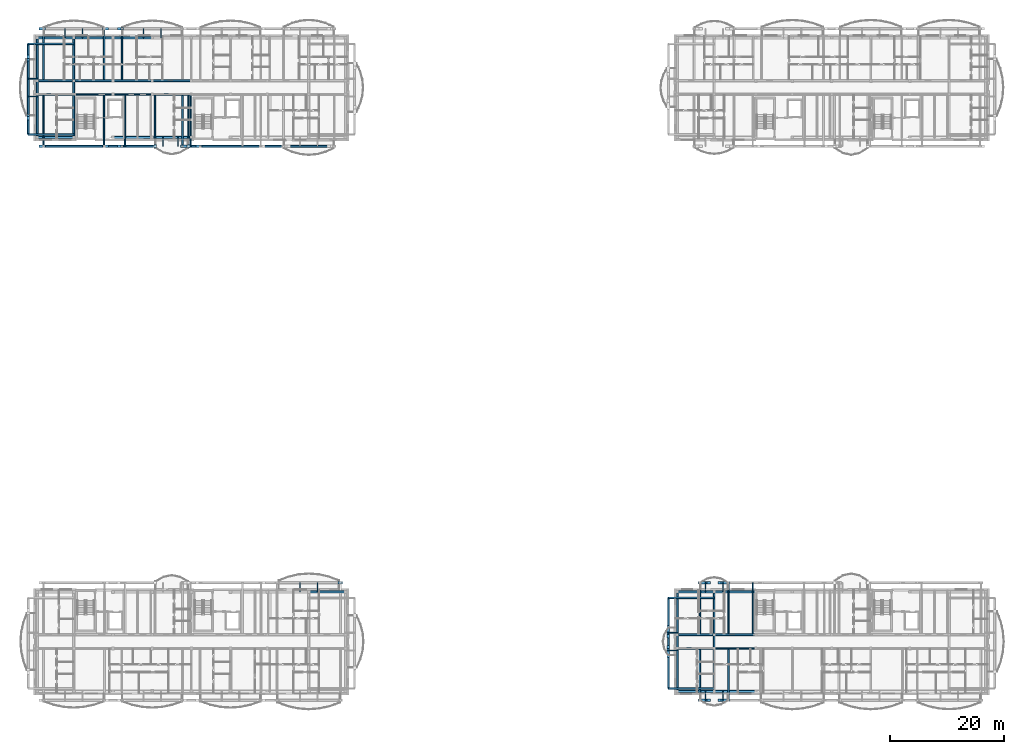
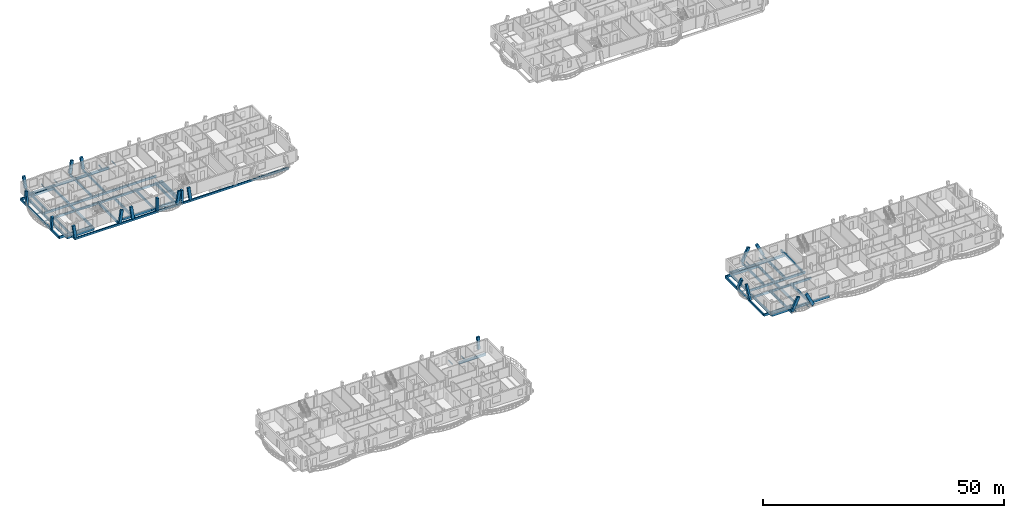
# One storey, part 5 of 52: 73 beams, 19 members.
"""IFC4 building model written with IfcOpenShell, lengths in metres."""

from ifc_helpers import new_model, si_unit, direction, frame, origin, origin_2d, place, context, subcontext, project, spatial, rectangle, i_section, extrude, material, material_profile, profile_set, type_object, element, save


model = new_model("IFC4")

# Units and contexts
model_context = context("Model", 3, precision=1e-05, world=origin(), true_north=direction((0.0, 1.0)))
body_context = subcontext(model_context, "Body", "Model", "MODEL_VIEW")
ifc_project = project(units=[si_unit("LENGTHUNIT", "METRE"), si_unit("AREAUNIT", "SQUARE_METRE"), si_unit("VOLUMEUNIT", "CUBIC_METRE"), si_unit("PLANEANGLEUNIT", "RADIAN"), si_unit("MASSUNIT", "GRAM", prefix="KILO")], contexts=[model_context])

# Site, building, storey
site_placement = place(None, origin())
site = spatial("IfcSite", under=ifc_project, at=site_placement, CompositionType="ELEMENT")
building_placement = place(site_placement, origin())
building = spatial("IfcBuilding", under=site, at=building_placement, Name="Zavelmont Quarter", CompositionType="ELEMENT")
storey_placement = place(building_placement, frame((0.0, 0.0, 14.39990234375)))
storey = spatial("IfcBuildingStorey", under=building, at=storey_placement, Name="L04", CompositionType="ELEMENT", Elevation=14.39990234375)

# Beams
ifc_material_1 = material(Name="Concrete C35/45", Category="concrete")
ifc_material_profile_1 = material_profile(ifc_material_1, rectangle(XDim=0.35009765625, YDim=0.60009765625, at=origin_2d()), Name="RC350X600")
ifc_profile_set_1 = profile_set([ifc_material_profile_1], Name="Concrete C35/45")
beam_type_1 = type_object("IfcBeamType", Name="BM01", PredefinedType="SPANDREL", material=ifc_profile_set_1)
for number, where, z_axis, x_axis, name in (
    (1, (48.300048828125, 17.9599609375, -0.559814453125), (1.0, 0.0, 0.0), (0.0, 1.0, 0.0), "L04 beam BM01 8/D to 9/D"),
    (2, (0.43994140625, 98.0400390625, -0.559814453125), (1.0, 0.0, 0.0), (0.0, 1.0, 0.0), "L04 beam BM01 1/P to 2/P"),
):
    element("IfcBeam", number, at=place(storey_placement, frame(where, z_axis=z_axis, x_axis=x_axis)), inside=storey, type_object=beam_type_1, Name=name, PredefinedType="SPANDREL", context=body_context, shape_type="SweptSolid", body=[
        extrude(rectangle(XDim=0.35009765625, YDim=0.60009765625, at=origin_2d()), origin(), (0.0, 0.0, 1.0), 6.4599609375),
    ])
beam_1_placement = place(storey_placement, frame((13.800048828125, 98.0400390625, -0.559814453125), z_axis=(1.0, 0.0, 0.0), x_axis=(0.0, 1.0, 0.0)))
element("IfcBeam", 3, at=beam_1_placement, inside=storey, type_object=beam_type_1, Name="L04 beam BM01 3/P to 4/P", PredefinedType="SPANDREL", context=body_context, shape_type="SweptSolid", body=[
    extrude(rectangle(XDim=0.35009765625, YDim=0.60009765625, at=origin_2d()), origin(), (0.0, 0.0, 1.0), 6.89990234375),
])
beam_2_placement = place(storey_placement, frame((20.699951171875, 98.0400390625, -0.559814453125), z_axis=(1.0, 0.0, 0.0), x_axis=(0.0, 1.0, 0.0)))
element("IfcBeam", 4, at=beam_2_placement, inside=storey, type_object=beam_type_1, Name="L04 beam BM01 4/P to 5/P", PredefinedType="SPANDREL", context=body_context, shape_type="SweptSolid", body=[
    extrude(rectangle(XDim=0.35009765625, YDim=0.60009765625, at=origin_2d()), origin(), (0.0, 0.0, 1.0), 6.900146484375),
])
beam_3_placement = place(storey_placement, frame((0.43994140625, 115.56005859375, -0.559814453125), z_axis=(1.0, 0.0, 0.0), x_axis=(0.0, 1.0, 0.0)))
element("IfcBeam", 5, at=beam_3_placement, inside=storey, type_object=beam_type_1, Name="L04 beam BM01 1/S to 2/S", PredefinedType="SPANDREL", context=body_context, shape_type="SweptSolid", body=[
    extrude(rectangle(XDim=0.35009765625, YDim=0.60009765625, at=origin_2d()), origin(), (0.0, 0.0, 1.0), 6.4599609375),
])
beam_4_placement = place(storey_placement, frame((6.89990234375, 115.56005859375, -0.559814453125), z_axis=(1.0, 0.0, 0.0), x_axis=(0.0, 1.0, 0.0)))
element("IfcBeam", 6, at=beam_4_placement, inside=storey, type_object=beam_type_1, Name="L04 beam BM01 2/S to 3/S", PredefinedType="SPANDREL", context=body_context, shape_type="SweptSolid", body=[
    extrude(rectangle(XDim=0.35009765625, YDim=0.60009765625, at=origin_2d()), origin(), (0.0, 0.0, 1.0), 6.900146484375),
])
beam_5_placement = place(storey_placement, frame((13.800048828125, 115.56005859375, -0.559814453125), z_axis=(1.0, 0.0, 0.0), x_axis=(0.0, 1.0, 0.0)))
element("IfcBeam", 7, at=beam_5_placement, inside=storey, type_object=beam_type_1, Name="L04 beam BM01 3/S to 4/S", PredefinedType="SPANDREL", context=body_context, shape_type="SweptSolid", body=[
    extrude(rectangle(XDim=0.35009765625, YDim=0.60009765625, at=origin_2d()), origin(), (0.0, 0.0, 1.0), 6.89990234375),
])
beam_6_placement = place(storey_placement, frame((113.239990234375, 0.43994140625, -0.559814453125), z_axis=(1.0, 0.0, 0.0), x_axis=(0.0, 1.0, 0.0)))
element("IfcBeam", 8, at=beam_6_placement, inside=storey, type_object=beam_type_1, Name="L04 beam BM01 17/A to 18/A", PredefinedType="SPANDREL", context=body_context, shape_type="SweptSolid", body=[
    extrude(rectangle(XDim=0.35009765625, YDim=0.60009765625, at=origin_2d()), origin(), (0.0, 0.0, 1.0), 6.4599609375),
])
beam_7_placement = place(storey_placement, frame((119.699951171875, 0.43994140625, -0.559814453125), z_axis=(1.0, 0.0, 0.0), x_axis=(0.0, 1.0, 0.0)))
element("IfcBeam", 9, at=beam_7_placement, inside=storey, type_object=beam_type_1, Name="L04 beam BM01 18/A to 19/A", PredefinedType="SPANDREL", context=body_context, shape_type="SweptSolid", body=[
    extrude(rectangle(XDim=0.35009765625, YDim=0.60009765625, at=origin_2d()), origin(), (0.0, 0.0, 1.0), 7.340087890625),
])
beam_8_placement = place(storey_placement, frame((113.239990234375, 17.9599609375, -0.559814453125), z_axis=(1.0, 0.0, 0.0), x_axis=(0.0, 1.0, 0.0)))
element("IfcBeam", 10, at=beam_8_placement, inside=storey, type_object=beam_type_1, Name="L04 beam BM01 17/D to 18/D", PredefinedType="SPANDREL", context=body_context, shape_type="SweptSolid", body=[
    extrude(rectangle(XDim=0.35009765625, YDim=0.60009765625, at=origin_2d()), origin(), (0.0, 0.0, 1.0), 6.4599609375),
])
beam_9_placement = place(storey_placement, frame((119.699951171875, 17.9599609375, -0.559814453125), z_axis=(1.0, 0.0, 0.0), x_axis=(0.0, 1.0, 0.0)))
element("IfcBeam", 11, at=beam_9_placement, inside=storey, type_object=beam_type_1, Name="L04 beam BM01 18/D to 19/D", PredefinedType="SPANDREL", context=body_context, shape_type="SweptSolid", body=[
    extrude(rectangle(XDim=0.35009765625, YDim=0.60009765625, at=origin_2d()), origin(), (0.0, 0.0, 1.0), 7.340087890625),
])
ifc_material_profile_2 = material_profile(ifc_material_1, rectangle(XDim=0.300048828125, YDim=0.550048828125, at=origin_2d()), Name="RC300X550")
ifc_profile_set_2 = profile_set([ifc_material_profile_2], Name="Concrete C35/45")
beam_type_2 = type_object("IfcBeamType", Name="BM02", PredefinedType="SPANDREL", material=ifc_profile_set_2)
beam_10_placement = place(storey_placement, frame((0.43994140625, 105.60009765625, -0.534912109375), z_axis=(1.0, 0.0, 0.0), x_axis=(0.0, 1.0, 0.0)))
element("IfcBeam", 12, at=beam_10_placement, inside=storey, type_object=beam_type_2, Name="L04 beam BM02 1/Q to 2/Q", PredefinedType="SPANDREL", context=body_context, shape_type="SweptSolid", body=[
    extrude(rectangle(XDim=0.300048828125, YDim=0.550048828125, at=origin_2d()), origin(), (0.0, 0.0, 1.0), 6.4599609375),
])
beam_11_placement = place(storey_placement, frame((6.89990234375, 105.60009765625, -0.534912109375), z_axis=(1.0, 0.0, 0.0), x_axis=(0.0, 1.0, 0.0)))
element("IfcBeam", 13, at=beam_11_placement, inside=storey, type_object=beam_type_2, Name="L04 beam BM02 2/Q to 3/Q", PredefinedType="SPANDREL", context=body_context, shape_type="SweptSolid", body=[
    extrude(rectangle(XDim=0.300048828125, YDim=0.550048828125, at=origin_2d()), origin(), (0.0, 0.0, 1.0), 6.900146484375),
])
beam_12_placement = place(storey_placement, frame((13.800048828125, 105.60009765625, -0.534912109375), z_axis=(1.0, 0.0, 0.0), x_axis=(0.0, 1.0, 0.0)))
element("IfcBeam", 14, at=beam_12_placement, inside=storey, type_object=beam_type_2, Name="L04 beam BM02 3/Q to 4/Q", PredefinedType="SPANDREL", context=body_context, shape_type="SweptSolid", body=[
    extrude(rectangle(XDim=0.300048828125, YDim=0.550048828125, at=origin_2d()), origin(), (0.0, 0.0, 1.0), 6.89990234375),
])
beam_13_placement = place(storey_placement, frame((20.699951171875, 105.60009765625, -0.534912109375), z_axis=(1.0, 0.0, 0.0), x_axis=(0.0, 1.0, 0.0)))
element("IfcBeam", 15, at=beam_13_placement, inside=storey, type_object=beam_type_2, Name="L04 beam BM02 4/Q to 5/Q", PredefinedType="SPANDREL", context=body_context, shape_type="SweptSolid", body=[
    extrude(rectangle(XDim=0.300048828125, YDim=0.550048828125, at=origin_2d()), origin(), (0.0, 0.0, 1.0), 6.900146484375),
])
beam_14_placement = place(storey_placement, frame((0.43994140625, 108.0, -0.534912109375), z_axis=(1.0, 0.0, 0.0), x_axis=(0.0, 1.0, 0.0)))
element("IfcBeam", 16, at=beam_14_placement, inside=storey, type_object=beam_type_2, Name="L04 beam BM02 1/R to 2/R", PredefinedType="SPANDREL", context=body_context, shape_type="SweptSolid", body=[
    extrude(rectangle(XDim=0.300048828125, YDim=0.550048828125, at=origin_2d()), origin(), (0.0, 0.0, 1.0), 6.4599609375),
])
beam_15_placement = place(storey_placement, frame((6.89990234375, 108.0, -0.534912109375), z_axis=(1.0, 0.0, 0.0), x_axis=(0.0, 1.0, 0.0)))
element("IfcBeam", 17, at=beam_15_placement, inside=storey, type_object=beam_type_2, Name="L04 beam BM02 2/R to 3/R", PredefinedType="SPANDREL", context=body_context, shape_type="SweptSolid", body=[
    extrude(rectangle(XDim=0.300048828125, YDim=0.550048828125, at=origin_2d()), origin(), (0.0, 0.0, 1.0), 6.900146484375),
])
beam_16_placement = place(storey_placement, frame((13.800048828125, 108.0, -0.534912109375), z_axis=(1.0, 0.0, 0.0), x_axis=(0.0, 1.0, 0.0)))
element("IfcBeam", 18, at=beam_16_placement, inside=storey, type_object=beam_type_2, Name="L04 beam BM02 3/R to 4/R", PredefinedType="SPANDREL", context=body_context, shape_type="SweptSolid", body=[
    extrude(rectangle(XDim=0.300048828125, YDim=0.550048828125, at=origin_2d()), origin(), (0.0, 0.0, 1.0), 6.89990234375),
])
beam_17_placement = place(storey_placement, frame((20.699951171875, 108.0, -0.534912109375), z_axis=(1.0, 0.0, 0.0), x_axis=(0.0, 1.0, 0.0)))
element("IfcBeam", 19, at=beam_17_placement, inside=storey, type_object=beam_type_2, Name="L04 beam BM02 4/R to 5/R", PredefinedType="SPANDREL", context=body_context, shape_type="SweptSolid", body=[
    extrude(rectangle(XDim=0.300048828125, YDim=0.550048828125, at=origin_2d()), origin(), (0.0, 0.0, 1.0), 6.900146484375),
])
beam_18_placement = place(storey_placement, frame((0.43994140625, 98.0400390625, -0.534912109375), z_axis=(0.0, 1.0, 0.0), x_axis=(-1.0, 0.0, 0.0)))
element("IfcBeam", 20, at=beam_18_placement, inside=storey, type_object=beam_type_2, Name="L04 beam BM02 1/P to 1/Q", PredefinedType="SPANDREL", context=body_context, shape_type="SweptSolid", body=[
    extrude(rectangle(XDim=0.300048828125, YDim=0.550048828125, at=origin_2d()), origin(), (0.0, 0.0, 1.0), 7.56005859375),
])
beam_19_placement = place(storey_placement, frame((0.43994140625, 105.60009765625, -0.534912109375), z_axis=(0.0, 1.0, 0.0), x_axis=(-1.0, 0.0, 0.0)))
element("IfcBeam", 21, at=beam_19_placement, inside=storey, type_object=beam_type_2, Name="L04 beam BM02 1/Q to 1/R", PredefinedType="SPANDREL", context=body_context, shape_type="SweptSolid", body=[
    extrude(rectangle(XDim=0.300048828125, YDim=0.550048828125, at=origin_2d()), origin(), (0.0, 0.0, 1.0), 2.39990234375),
])
for number, where, z_axis, x_axis, name in (
    (22, (0.43994140625, 108.0, -0.534912109375), (0.0, 1.0, 0.0), (-1.0, 0.0, 0.0), "L04 beam BM02 1/R to 1/S"),
    (23, (6.89990234375, 98.0400390625, -0.534912109375), (0.0, 1.0, 0.0), (-1.0, 0.0, 0.0), "L04 beam BM02 2/P to 2/Q"),
):
    element("IfcBeam", number, at=place(storey_placement, frame(where, z_axis=z_axis, x_axis=x_axis)), inside=storey, type_object=beam_type_2, Name=name, PredefinedType="SPANDREL", context=body_context, shape_type="SweptSolid", body=[
        extrude(rectangle(XDim=0.300048828125, YDim=0.550048828125, at=origin_2d()), origin(), (0.0, 0.0, 1.0), 7.56005859375),
    ])
beam_20_placement = place(storey_placement, frame((6.89990234375, 105.60009765625, -0.534912109375), z_axis=(0.0, 1.0, 0.0), x_axis=(-1.0, 0.0, 0.0)))
element("IfcBeam", 24, at=beam_20_placement, inside=storey, type_object=beam_type_2, Name="L04 beam BM02 2/Q to 2/R", PredefinedType="SPANDREL", context=body_context, shape_type="SweptSolid", body=[
    extrude(rectangle(XDim=0.300048828125, YDim=0.550048828125, at=origin_2d()), origin(), (0.0, 0.0, 1.0), 2.39990234375),
])
beam_21_placement = place(storey_placement, frame((6.89990234375, 108.0, -0.534912109375), z_axis=(0.0, 1.0, 0.0), x_axis=(-1.0, 0.0, 0.0)))
element("IfcBeam", 25, at=beam_21_placement, inside=storey, type_object=beam_type_2, Name="L04 beam BM02 2/R to 2/S", PredefinedType="SPANDREL", context=body_context, shape_type="SweptSolid", body=[
    extrude(rectangle(XDim=0.300048828125, YDim=0.550048828125, at=origin_2d()), origin(), (0.0, 0.0, 1.0), 7.56005859375),
])
beam_22_placement = place(storey_placement, frame((113.239990234375, 8.0, -0.534912109375), z_axis=(1.0, 0.0, 0.0), x_axis=(0.0, 1.0, 0.0)))
element("IfcBeam", 26, at=beam_22_placement, inside=storey, type_object=beam_type_2, Name="L04 beam BM02 17/B to 18/B", PredefinedType="SPANDREL", context=body_context, shape_type="SweptSolid", body=[
    extrude(rectangle(XDim=0.300048828125, YDim=0.550048828125, at=origin_2d()), origin(), (0.0, 0.0, 1.0), 6.4599609375),
])
beam_23_placement = place(storey_placement, frame((119.699951171875, 8.0, -0.534912109375), z_axis=(1.0, 0.0, 0.0), x_axis=(0.0, 1.0, 0.0)))
element("IfcBeam", 27, at=beam_23_placement, inside=storey, type_object=beam_type_2, Name="L04 beam BM02 18/B to 19/B", PredefinedType="SPANDREL", context=body_context, shape_type="SweptSolid", body=[
    extrude(rectangle(XDim=0.300048828125, YDim=0.550048828125, at=origin_2d()), origin(), (0.0, 0.0, 1.0), 7.340087890625),
])
beam_24_placement = place(storey_placement, frame((113.239990234375, 10.39990234375, -0.534912109375), z_axis=(1.0, 0.0, 0.0), x_axis=(0.0, 1.0, 0.0)))
element("IfcBeam", 28, at=beam_24_placement, inside=storey, type_object=beam_type_2, Name="L04 beam BM02 17/C to 18/C", PredefinedType="SPANDREL", context=body_context, shape_type="SweptSolid", body=[
    extrude(rectangle(XDim=0.300048828125, YDim=0.550048828125, at=origin_2d()), origin(), (0.0, 0.0, 1.0), 6.4599609375),
])
beam_25_placement = place(storey_placement, frame((119.699951171875, 10.39990234375, -0.534912109375), z_axis=(1.0, 0.0, 0.0), x_axis=(0.0, 1.0, 0.0)))
element("IfcBeam", 29, at=beam_25_placement, inside=storey, type_object=beam_type_2, Name="L04 beam BM02 18/C to 19/C", PredefinedType="SPANDREL", context=body_context, shape_type="SweptSolid", body=[
    extrude(rectangle(XDim=0.300048828125, YDim=0.550048828125, at=origin_2d()), origin(), (0.0, 0.0, 1.0), 7.340087890625),
])
beam_26_placement = place(storey_placement, frame((113.239990234375, 0.43994140625, -0.534912109375), z_axis=(0.0, 1.0, 0.0), x_axis=(-1.0, 0.0, 0.0)))
element("IfcBeam", 30, at=beam_26_placement, inside=storey, type_object=beam_type_2, Name="L04 beam BM02 17/A to 17/B", PredefinedType="SPANDREL", context=body_context, shape_type="SweptSolid", body=[
    extrude(rectangle(XDim=0.300048828125, YDim=0.550048828125, at=origin_2d()), origin(), (0.0, 0.0, 1.0), 7.56005859375),
])
beam_27_placement = place(storey_placement, frame((113.239990234375, 8.0, -0.534912109375), z_axis=(0.0, 1.0, 0.0), x_axis=(-1.0, 0.0, 0.0)))
element("IfcBeam", 31, at=beam_27_placement, inside=storey, type_object=beam_type_2, Name="L04 beam BM02 17/B to 17/C", PredefinedType="SPANDREL", context=body_context, shape_type="SweptSolid", body=[
    extrude(rectangle(XDim=0.300048828125, YDim=0.550048828125, at=origin_2d()), origin(), (0.0, 0.0, 1.0), 2.39990234375),
])
for number, where, z_axis, x_axis, name in (
    (32, (113.239990234375, 10.39990234375, -0.534912109375), (0.0, 1.0, 0.0), (-1.0, 0.0, 0.0), "L04 beam BM02 17/C to 17/D"),
    (33, (119.699951171875, 0.43994140625, -0.534912109375), (0.0, 1.0, 0.0), (-1.0, 0.0, 0.0), "L04 beam BM02 18/A to 18/B"),
):
    element("IfcBeam", number, at=place(storey_placement, frame(where, z_axis=z_axis, x_axis=x_axis)), inside=storey, type_object=beam_type_2, Name=name, PredefinedType="SPANDREL", context=body_context, shape_type="SweptSolid", body=[
        extrude(rectangle(XDim=0.300048828125, YDim=0.550048828125, at=origin_2d()), origin(), (0.0, 0.0, 1.0), 7.56005859375),
    ])
beam_28_placement = place(storey_placement, frame((119.699951171875, 8.0, -0.534912109375), z_axis=(0.0, 1.0, 0.0), x_axis=(-1.0, 0.0, 0.0)))
element("IfcBeam", 34, at=beam_28_placement, inside=storey, type_object=beam_type_2, Name="L04 beam BM02 18/B to 18/C", PredefinedType="SPANDREL", context=body_context, shape_type="SweptSolid", body=[
    extrude(rectangle(XDim=0.300048828125, YDim=0.550048828125, at=origin_2d()), origin(), (0.0, 0.0, 1.0), 2.39990234375),
])
beam_29_placement = place(storey_placement, frame((119.699951171875, 10.39990234375, -0.534912109375), z_axis=(0.0, 1.0, 0.0), x_axis=(-1.0, 0.0, 0.0)))
element("IfcBeam", 35, at=beam_29_placement, inside=storey, type_object=beam_type_2, Name="L04 beam BM02 18/C to 18/D", PredefinedType="SPANDREL", context=body_context, shape_type="SweptSolid", body=[
    extrude(rectangle(XDim=0.300048828125, YDim=0.550048828125, at=origin_2d()), origin(), (0.0, 0.0, 1.0), 7.56005859375),
])
ifc_material_profile_3 = material_profile(ifc_material_1, rectangle(XDim=0.300048828125, YDim=0.5, at=origin_2d()), Name="RC300X500")
ifc_profile_set_3 = profile_set([ifc_material_profile_3], Name="Concrete C35/45")
beam_type_3 = type_object("IfcBeamType", Name="BM03", PredefinedType="BEAM", material=ifc_profile_set_3)
beam_30_placement = place(storey_placement, frame((1.56494140625, 96.449951171875, -0.25), z_axis=(1.0, 0.0, 0.0), x_axis=(0.0, 1.0, 0.0)))
element("IfcBeam", 36, at=beam_30_placement, inside=storey, type_object=beam_type_3, Name="L04 beam BM03 1/P to 9/P", PredefinedType="BEAM", context=body_context, shape_type="SweptSolid", body=[
    extrude(rectangle(XDim=0.300048828125, YDim=0.5, at=origin_2d()), origin(), (0.0, 0.0, 1.0), 51.20703125),
])
for number, where, z_axis, x_axis, name in (
    (37, (-1.14990234375, 98.550048828125, -0.25), (0.0, 1.0, 0.0), (-1.0, 0.0, 0.0), "L04 beam BM03 1/P to 1/S"),
    (38, (111.64990234375, 0.949951171875, -0.25), (0.0, 1.0, 0.0), (-1.0, 0.0, 0.0), "L04 beam BM03 17/A to 17/D"),
):
    element("IfcBeam", number, at=place(storey_placement, frame(where, z_axis=z_axis, x_axis=x_axis)), inside=storey, type_object=beam_type_3, Name=name, PredefinedType="BEAM", context=body_context, shape_type="SweptSolid", body=[
        extrude(rectangle(XDim=0.300048828125, YDim=0.5, at=origin_2d()), origin(), (0.0, 0.0, 1.0), 15.949951171875),
    ])
ifc_material_2 = material(Name="Steel S355", Category="steel")
ifc_material_profile_4 = material_profile(ifc_material_2, i_section(OverallWidth=0.110107421875, OverallDepth=0.219970703125, WebThickness=0.005859375, FlangeThickness=0.00927734375, at=origin_2d()), Name="IPE 220")
ifc_profile_set_4 = profile_set([ifc_material_profile_4], Name="Steel S355")
beam_type_4 = type_object("IfcBeamType", Name="BM15", PredefinedType="JOIST", material=ifc_profile_set_4)
for number, where, z_axis, x_axis, name in (
    (39, (46.75, 17.9599609375, -0.371826171875), (0.0, 1.0, 0.0), (-1.0, 0.0, 0.0), "L04 beam BM15 8/D to 8/D"),
    (40, (49.85009765625, 17.9599609375, -0.371826171875), (0.0, 1.0, 0.0), (-1.0, 0.0, 0.0), "L04 beam BM15 8/D to 8/D"),
):
    element("IfcBeam", number, at=place(storey_placement, frame(where, z_axis=z_axis, x_axis=x_axis)), inside=storey, type_object=beam_type_4, Name=name, PredefinedType="JOIST", context=body_context, shape_type="SweptSolid", body=[
        extrude(i_section(OverallWidth=0.110107421875, OverallDepth=0.219970703125, WebThickness=0.005859375, FlangeThickness=0.00927734375, at=origin_2d()), origin(), (0.0, 0.0, 1.0), 1.590087890625),
    ])
for number, where, z_axis, x_axis, name in (
    (41, (5.35009765625, 115.56005859375, -0.371826171875), (0.0, 1.0, 0.0), (-1.0, 0.0, 0.0), "L04 beam BM15 2/S to 2/S"),
    (42, (8.449951171875, 115.56005859375, -0.371826171875), (0.0, 1.0, 0.0), (-1.0, 0.0, 0.0), "L04 beam BM15 2/S to 2/S"),
    (43, (19.14990234375, 115.56005859375, -0.371826171875), (0.0, 1.0, 0.0), (-1.0, 0.0, 0.0), "L04 beam BM15 4/S to 4/S"),
    (44, (22.25, 115.56005859375, -0.371826171875), (0.0, 1.0, 0.0), (-1.0, 0.0, 0.0), "L04 beam BM15 4/S to 4/S"),
    (45, (0.43994140625, 105.25, -0.371826171875), (-1.0, 0.0, 0.0), (0.0, -1.0, 0.0), "L04 beam BM15 1/Q to 1/Q"),
    (46, (0.43994140625, 108.35009765625, -0.371826171875), (-1.0, 0.0, 0.0), (0.0, -1.0, 0.0), "L04 beam BM15 1/R to 1/R"),
):
    element("IfcBeam", number, at=place(storey_placement, frame(where, z_axis=z_axis, x_axis=x_axis)), inside=storey, type_object=beam_type_4, Name=name, PredefinedType="JOIST", context=body_context, shape_type="SweptSolid", body=[
        extrude(i_section(OverallWidth=0.110107421875, OverallDepth=0.219970703125, WebThickness=0.005859375, FlangeThickness=0.00927734375, at=origin_2d()), origin(), (0.0, 0.0, 1.0), 1.58984375),
    ])
for number, where, z_axis, x_axis, name in (
    (47, (22.60009765625, 98.0400390625, -0.371826171875), (0.0, -1.0, 0.0), (1.0, 0.0, 0.0), "L04 beam BM15 4/P to 4/P"),
    (48, (25.280029296875, 98.0400390625, -0.371826171875), (0.0, -1.0, 0.0), (1.0, 0.0, 0.0), "L04 beam BM15 5/P to 5/P"),
):
    element("IfcBeam", number, at=place(storey_placement, frame(where, z_axis=z_axis, x_axis=x_axis)), inside=storey, type_object=beam_type_4, Name=name, PredefinedType="JOIST", context=body_context, shape_type="SweptSolid", body=[
        extrude(i_section(OverallWidth=0.110107421875, OverallDepth=0.219970703125, WebThickness=0.005859375, FlangeThickness=0.00927734375, at=origin_2d()), origin(), (0.0, 0.0, 1.0), 1.590087890625),
    ])
for number, where, z_axis, x_axis, name in (
    (49, (118.14990234375, 0.43994140625, -0.371826171875), (0.0, -1.0, 0.0), (1.0, 0.0, 0.0), "L04 beam BM15 18/A to 18/A"),
    (50, (121.25, 0.43994140625, -0.371826171875), (0.0, -1.0, 0.0), (1.0, 0.0, 0.0), "L04 beam BM15 18/A to 18/A"),
):
    element("IfcBeam", number, at=place(storey_placement, frame(where, z_axis=z_axis, x_axis=x_axis)), inside=storey, type_object=beam_type_4, Name=name, PredefinedType="JOIST", context=body_context, shape_type="SweptSolid", body=[
        extrude(i_section(OverallWidth=0.110107421875, OverallDepth=0.219970703125, WebThickness=0.005859375, FlangeThickness=0.00927734375, at=origin_2d()), origin(), (0.0, 0.0, 1.0), 1.58984375),
    ])
for number, where, z_axis, x_axis, name in (
    (51, (113.239990234375, 7.64990234375, -0.371826171875), (-1.0, 0.0, 0.0), (0.0, -1.0, 0.0), "L04 beam BM15 17/B to 17/B"),
    (52, (113.239990234375, 10.75, -0.371826171875), (-1.0, 0.0, 0.0), (0.0, -1.0, 0.0), "L04 beam BM15 17/C to 17/C"),
    (53, (118.14990234375, 17.9599609375, -0.371826171875), (0.0, 1.0, 0.0), (-1.0, 0.0, 0.0), "L04 beam BM15 18/D to 18/D"),
    (54, (121.25, 17.9599609375, -0.371826171875), (0.0, 1.0, 0.0), (-1.0, 0.0, 0.0), "L04 beam BM15 18/D to 18/D"),
):
    element("IfcBeam", number, at=place(storey_placement, frame(where, z_axis=z_axis, x_axis=x_axis)), inside=storey, type_object=beam_type_4, Name=name, PredefinedType="JOIST", context=body_context, shape_type="SweptSolid", body=[
        extrude(i_section(OverallWidth=0.110107421875, OverallDepth=0.219970703125, WebThickness=0.005859375, FlangeThickness=0.00927734375, at=origin_2d()), origin(), (0.0, 0.0, 1.0), 1.590087890625),
    ])
ifc_material_3 = material(Name="Concrete C40/50", Category="concrete")
ifc_material_profile_5 = material_profile(ifc_material_3, rectangle(XDim=0.25, YDim=0.60009765625, at=origin_2d()), Name="RC250X600")
ifc_profile_set_5 = profile_set([ifc_material_profile_5], Name="Concrete C40/50")
beam_type_5 = type_object("IfcBeamType", Name="BM18", PredefinedType="BEAM", material=ifc_profile_set_5)
for number, where, z_axis, x_axis, name in (
    (55, (1.565185546875, 108.0, -0.2998046875), (0.0, 1.0, 0.0), (-1.0, 0.0, 0.0), "L04 beam BM18 1/R to 1/S"),
    (56, (12.234619140625, 108.0, -0.2998046875), (0.0, 1.0, 0.0), (-1.0, 0.0, 0.0), "L04 beam BM18 3/R to 3/S"),
    (57, (15.365234375, 108.0, -0.2998046875), (0.0, 1.0, 0.0), (-1.0, 0.0, 0.0), "L04 beam BM18 3/R to 3/S"),
):
    element("IfcBeam", number, at=place(storey_placement, frame(where, z_axis=z_axis, x_axis=x_axis)), inside=storey, type_object=beam_type_5, Name=name, PredefinedType="BEAM", context=body_context, shape_type="SweptSolid", body=[
        extrude(rectangle(XDim=0.25, YDim=0.60009765625, at=origin_2d()), origin(), (0.0, 0.0, 1.0), 9.14990234375),
    ])
for number, where, z_axis, x_axis, name in (
    (58, (1.565185546875, 105.60009765625, -0.2998046875), (0.0, -1.0, 0.0), (1.0, 0.0, 0.0), "L04 beam BM18 1/Q to 1/P"),
    (59, (12.234619140625, 105.60009765625, -0.2998046875), (0.0, -1.0, 0.0), (1.0, 0.0, 0.0), "L04 beam BM18 3/Q to 3/P"),
    (60, (15.925048828125, 105.60009765625, -0.2998046875), (0.0, -1.0, 0.0), (1.0, 0.0, 0.0), "L04 beam BM18 3/Q to 3/P"),
    (61, (26.03466796875, 105.60009765625, -0.2998046875), (0.0, -1.0, 0.0), (1.0, 0.0, 0.0), "L04 beam BM18 5/Q to 5/P"),
    (62, (27.5, 105.60009765625, -0.2998046875), (0.0, -1.0, 0.0), (1.0, 0.0, 0.0), "L04 beam BM18 5/Q to 5/P"),
    (63, (21.199951171875, 105.60009765625, -0.2998046875), (0.0, -1.0, 0.0), (1.0, 0.0, 0.0), "L04 beam BM18 4/Q to 4/P"),
    (64, (27.10009765625, 105.60009765625, -0.2998046875), (0.0, -1.0, 0.0), (1.0, 0.0, 0.0), "L04 beam BM18 5/Q to 5/P"),
):
    element("IfcBeam", number, at=place(storey_placement, frame(where, z_axis=z_axis, x_axis=x_axis)), inside=storey, type_object=beam_type_5, Name=name, PredefinedType="BEAM", context=body_context, shape_type="SweptSolid", body=[
        extrude(rectangle(XDim=0.25, YDim=0.60009765625, at=origin_2d()), origin(), (0.0, 0.0, 1.0), 9.150146484375),
    ])
for number, where, z_axis, x_axis, name in (
    (65, (6.89990234375, 98.550048828125, -0.2998046875), (-1.0, 0.0, 0.0), (0.0, -1.0, 0.0), "L04 beam BM18 2/P to 1/P"),
    (66, (6.89990234375, 114.5, -0.2998046875), (-1.0, 0.0, 0.0), (0.0, -1.0, 0.0), "L04 beam BM18 2/S to 1/S"),
):
    element("IfcBeam", number, at=place(storey_placement, frame(where, z_axis=z_axis, x_axis=x_axis)), inside=storey, type_object=beam_type_5, Name=name, PredefinedType="BEAM", context=body_context, shape_type="SweptSolid", body=[
        extrude(rectangle(XDim=0.25, YDim=0.60009765625, at=origin_2d()), origin(), (0.0, 0.0, 1.0), 8.0498046875),
    ])
for number, where, z_axis, x_axis, name in (
    (67, (117.1767578125, 8.0, -0.2998046875), (0.0, -1.0, 0.0), (1.0, 0.0, 0.0), "L04 beam BM18 18/B to 18/A"),
    (68, (122.223388671875, 8.0, -0.2998046875), (0.0, -1.0, 0.0), (1.0, 0.0, 0.0), "L04 beam BM18 18/B to 18/A"),
):
    element("IfcBeam", number, at=place(storey_placement, frame(where, z_axis=z_axis, x_axis=x_axis)), inside=storey, type_object=beam_type_5, Name=name, PredefinedType="BEAM", context=body_context, shape_type="SweptSolid", body=[
        extrude(rectangle(XDim=0.25, YDim=0.60009765625, at=origin_2d()), origin(), (0.0, 0.0, 1.0), 9.14990234375),
    ])
for number, where, z_axis, x_axis, name in (
    (69, (117.1767578125, 10.39990234375, -0.2998046875), (0.0, 1.0, 0.0), (-1.0, 0.0, 0.0), "L04 beam BM18 18/C to 18/D"),
    (70, (122.223388671875, 10.39990234375, -0.2998046875), (0.0, 1.0, 0.0), (-1.0, 0.0, 0.0), "L04 beam BM18 18/C to 18/D"),
    (71, (126.5, 10.39990234375, -0.2998046875), (0.0, 1.0, 0.0), (-1.0, 0.0, 0.0), "L04 beam BM18 19/C to 19/D"),
):
    element("IfcBeam", number, at=place(storey_placement, frame(where, z_axis=z_axis, x_axis=x_axis)), inside=storey, type_object=beam_type_5, Name=name, PredefinedType="BEAM", context=body_context, shape_type="SweptSolid", body=[
        extrude(rectangle(XDim=0.25, YDim=0.60009765625, at=origin_2d()), origin(), (0.0, 0.0, 1.0), 9.150146484375),
    ])
for number, where, z_axis, x_axis, name in (
    (72, (119.699951171875, 0.949951171875, -0.2998046875), (-1.0, 0.0, 0.0), (0.0, -1.0, 0.0), "L04 beam BM18 18/A to 17/A"),
    (73, (119.699951171875, 16.89990234375, -0.2998046875), (-1.0, 0.0, 0.0), (0.0, -1.0, 0.0), "L04 beam BM18 18/D to 17/D"),
):
    element("IfcBeam", number, at=place(storey_placement, frame(where, z_axis=z_axis, x_axis=x_axis)), inside=storey, type_object=beam_type_5, Name=name, PredefinedType="BEAM", context=body_context, shape_type="SweptSolid", body=[
        extrude(rectangle(XDim=0.25, YDim=0.60009765625, at=origin_2d()), origin(), (0.0, 0.0, 1.0), 8.050048828125),
    ])

# Members
ifc_material_4 = material(Name="White architectural precast concrete C40/50", Category="concrete")
ifc_material_profile_6 = material_profile(ifc_material_4, rectangle(XDim=0.43994140625, YDim=0.659912109375, at=origin_2d()), Name="PCR320X480")
ifc_profile_set_6 = profile_set([ifc_material_profile_6], Name="White architectural precast concrete C40/50")
member_type = type_object("IfcMemberType", Name="VR01M", PredefinedType="CHORD", material=ifc_profile_set_6)
member_1_placement = place(storey_placement, frame((53.908935546875, 19.550048828125, 0.0), z_axis=(-0.031872721174, 0.0, 0.999491935758), x_axis=(0.0, -1.0, 0.0)))
element("IfcMember", 74, at=member_1_placement, inside=storey, type_object=member_type, Name="L04 member VR01M 9/D to 9/D", PredefinedType="CHORD", context=body_context, shape_type="SweptSolid", body=[
    extrude(rectangle(XDim=0.43994140625, YDim=0.659912109375, at=origin_2d()), origin(), (0.0, 0.0, 1.0), 3.201904296875),
])
for number, where, z_axis, x_axis, name in (
    (75, (1.565185546875, 117.14990234375, 0.0), (-0.141008966379, 0.0, 0.990008318854), (0.0, -1.0, 0.0), "L04 member VR01M 1/S to 1/S"),
    (76, (12.234619140625, 117.14990234375, 0.0), (0.141082990483, 0.0, 0.989997772622), (0.0, 1.0, 0.0), "L04 member VR01M 3/S to 3/S"),
    (77, (15.365234375, 117.14990234375, 0.0), (-0.141008966379, 0.0, 0.990008318854), (0.0, -1.0, 0.0), "L04 member VR01M 3/S to 3/S"),
    (78, (1.565185546875, 96.449951171875, 0.0), (-0.141008966379, 0.0, 0.990008318854), (0.0, -1.0, 0.0), "L04 member VR01M 1/P to 1/P"),
    (79, (12.234619140625, 96.449951171875, 0.0), (0.141082990483, 0.0, 0.989997772622), (0.0, 1.0, 0.0), "L04 member VR01M 3/P to 3/P"),
    (80, (15.365234375, 96.449951171875, 0.0), (-0.141008966379, 0.0, 0.990008318854), (0.0, -1.0, 0.0), "L04 member VR01M 3/P to 3/P"),
    (81, (26.03466796875, 96.449951171875, 0.0), (0.141008966379, 0.0, 0.990008318854), (0.0, 1.0, 0.0), "L04 member VR01M 5/P to 5/P"),
    (82, (29.165283203125, 96.449951171875, 0.0), (-0.141008966379, 0.0, 0.990008318854), (0.0, -1.0, 0.0), "L04 member VR01M 5/P to 5/P"),
):
    element("IfcMember", number, at=place(storey_placement, frame(where, z_axis=z_axis, x_axis=x_axis)), inside=storey, type_object=member_type, Name=name, PredefinedType="CHORD", context=body_context, shape_type="SweptSolid", body=[
        extrude(rectangle(XDim=0.43994140625, YDim=0.659912109375, at=origin_2d()), origin(), (0.0, 0.0, 1.0), 3.232421875),
    ])
for number, where, z_axis, x_axis, name in (
    (83, (21.199951171875, 96.449951171875, 0.0), (0.0, 0.0, 1.0), (1.0, 0.0, 0.0), "L04 member VR01M 4/P to 4/P"),
    (84, (27.10009765625, 96.449951171875, 0.0), (0.0, 0.0, 1.0), (1.0, 0.0, 0.0), "L04 member VR01M 5/P to 5/P"),
):
    element("IfcMember", number, at=place(storey_placement, frame(where, z_axis=z_axis, x_axis=x_axis)), inside=storey, type_object=member_type, Name=name, PredefinedType="CHORD", context=body_context, shape_type="SweptSolid", body=[
        extrude(rectangle(XDim=0.43994140625, YDim=0.659912109375, at=origin_2d()), origin(), (0.0, 0.0, 1.0), 3.2001953125),
    ])
for number, where, z_axis, x_axis, name in (
    (85, (-1.14990234375, 101.768310546875, 0.0), (0.0, -0.123028313753, 0.992403161026), (1.0, 0.0, 0.0), "L04 member VR01M 1/Q to 1/P"),
    (86, (-1.14990234375, 111.83154296875, 0.0), (0.0, 0.123102876502, 0.992393914631), (-1.0, 0.0, 0.0), "L04 member VR01M 1/R to 1/S"),
):
    element("IfcMember", number, at=place(storey_placement, frame(where, z_axis=z_axis, x_axis=x_axis)), inside=storey, type_object=member_type, Name=name, PredefinedType="CHORD", context=body_context, shape_type="SweptSolid", body=[
        extrude(rectangle(XDim=0.43994140625, YDim=0.659912109375, at=origin_2d()), origin(), (0.0, 0.0, 1.0), 3.224609375),
    ])
member_2_placement = place(storey_placement, frame((117.1767578125, -1.14990234375, 0.0), z_axis=(0.441178663553, 0.0, 0.897419292653), x_axis=(0.0, 1.0, 0.0)))
element("IfcMember", 87, at=member_2_placement, inside=storey, type_object=member_type, Name="L04 member VR01M 18/A to 18/A", PredefinedType="CHORD", context=body_context, shape_type="SweptSolid", body=[
    extrude(rectangle(XDim=0.43994140625, YDim=0.659912109375, at=origin_2d()), origin(), (0.0, 0.0, 1.0), 3.56591796875),
])
member_3_placement = place(storey_placement, frame((122.223388671875, -1.14990234375, 0.0), z_axis=(-0.441233798898, 0.0, 0.897392185563), x_axis=(0.0, -1.0, 0.0)))
element("IfcMember", 88, at=member_3_placement, inside=storey, type_object=member_type, Name="L04 member VR01M 18/A to 18/A", PredefinedType="CHORD", context=body_context, shape_type="SweptSolid", body=[
    extrude(rectangle(XDim=0.43994140625, YDim=0.659912109375, at=origin_2d()), origin(), (0.0, 0.0, 1.0), 3.566162109375),
])
member_4_placement = place(storey_placement, frame((117.1767578125, 19.550048828125, 0.0), z_axis=(0.441178663553, 0.0, 0.897419292653), x_axis=(0.0, 1.0, 0.0)))
element("IfcMember", 89, at=member_4_placement, inside=storey, type_object=member_type, Name="L04 member VR01M 18/D to 18/D", PredefinedType="CHORD", context=body_context, shape_type="SweptSolid", body=[
    extrude(rectangle(XDim=0.43994140625, YDim=0.659912109375, at=origin_2d()), origin(), (0.0, 0.0, 1.0), 3.56591796875),
])
member_5_placement = place(storey_placement, frame((122.223388671875, 19.550048828125, 0.0), z_axis=(-0.441233798898, 0.0, 0.897392185563), x_axis=(0.0, -1.0, 0.0)))
element("IfcMember", 90, at=member_5_placement, inside=storey, type_object=member_type, Name="L04 member VR01M 18/D to 18/D", PredefinedType="CHORD", context=body_context, shape_type="SweptSolid", body=[
    extrude(rectangle(XDim=0.43994140625, YDim=0.659912109375, at=origin_2d()), origin(), (0.0, 0.0, 1.0), 3.566162109375),
])
member_6_placement = place(storey_placement, frame((111.64990234375, 6.6767578125, 0.0), z_axis=(0.0, 0.441178663553, 0.897419292653), x_axis=(-1.0, 0.0, 0.0)))
element("IfcMember", 91, at=member_6_placement, inside=storey, type_object=member_type, Name="L04 member VR01M 17/B to 17/B", PredefinedType="CHORD", context=body_context, shape_type="SweptSolid", body=[
    extrude(rectangle(XDim=0.43994140625, YDim=0.659912109375, at=origin_2d()), origin(), (0.0, 0.0, 1.0), 3.56591796875),
])
member_7_placement = place(storey_placement, frame((111.64990234375, 11.723388671875, 0.0), z_axis=(0.0, -0.441233798898, 0.897392185563), x_axis=(1.0, 0.0, 0.0)))
element("IfcMember", 92, at=member_7_placement, inside=storey, type_object=member_type, Name="L04 member VR01M 17/C to 17/C", PredefinedType="CHORD", context=body_context, shape_type="SweptSolid", body=[
    extrude(rectangle(XDim=0.43994140625, YDim=0.659912109375, at=origin_2d()), origin(), (0.0, 0.0, 1.0), 3.566162109375),
])

save(model, "model.ifc")
